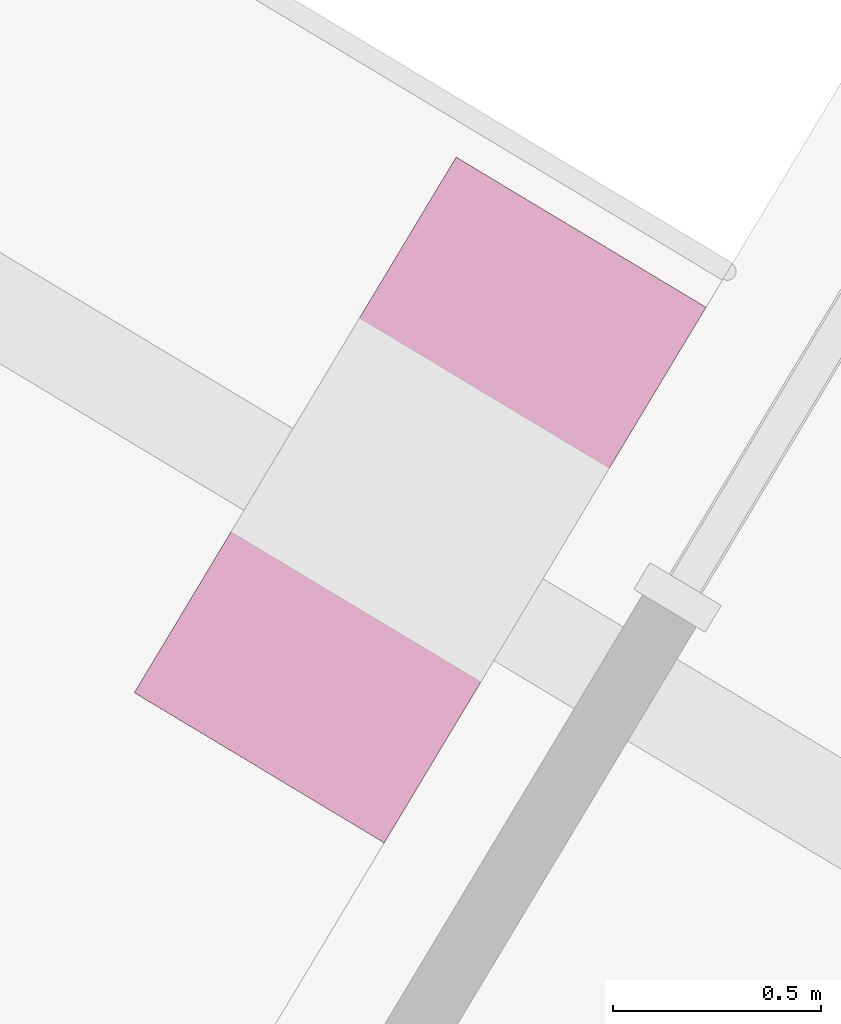
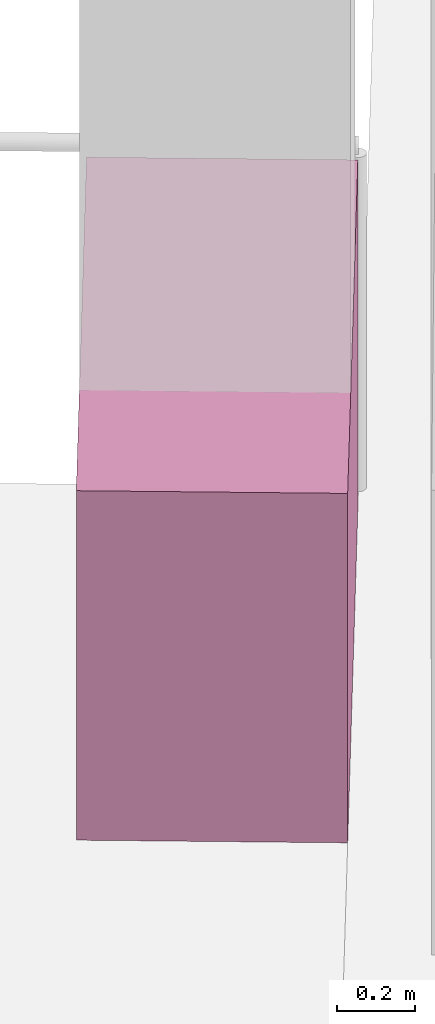
# One storey, part 18 of 19: 1 furniture element.
"""IFC4 building model written with IfcOpenShell, lengths in metres."""

from ifc_helpers import new_model, si_unit, direction, frame, origin, origin_2d, place, context, subcontext, project, spatial, rectangle, extrude, source, transform, mapped, material, type_object, element, save


model = new_model("IFC4")

# Units and contexts
model_context = context("Model", 3, precision=1e-05, world=origin(), true_north=direction((0.0, 1.0)))
body_context = subcontext(model_context, "Body", "Model", "MODEL_VIEW")
ifc_project = project(units=[si_unit("LENGTHUNIT", "METRE"), si_unit("AREAUNIT", "SQUARE_METRE"), si_unit("VOLUMEUNIT", "CUBIC_METRE"), si_unit("PLANEANGLEUNIT", "RADIAN"), si_unit("MASSUNIT", "GRAM", prefix="KILO")], contexts=[model_context])

# Site, building, storey
site_placement = place(None, origin())
site = spatial("IfcSite", under=ifc_project, at=site_placement, CompositionType="ELEMENT")
building_placement = place(site_placement, origin())
building = spatial("IfcBuilding", under=site, at=building_placement, Name="Triune Harvest Tower", CompositionType="ELEMENT")
storey_placement = place(building_placement, frame((0.0, 0.0, 205.10009765625)))
storey = spatial("IfcBuildingStorey", under=building, at=storey_placement, Name="L53", CompositionType="ELEMENT", Elevation=205.10009765625)

# Furniture
ifc_material = material(Name="Concrete 40 MPa", Category="concrete")
furniture_type = type_object("IfcFurnitureType", Name="PB-1 structural planter", AssemblyPlace="SITE", PredefinedType="USERDEFINED", material=ifc_material)
shared_shape = source(origin(), body_context, "Body", "SweptSolid", [
    extrude(rectangle(XDim=1.5, YDim=0.699951171875, at=origin_2d()), origin(), (0.0, 0.0, 1.0), 1.10009765625),
])
furniture_placement = place(storey_placement, frame((-14.876220703125, 16.650634765625, -0.000244140625), z_axis=(0.0, 0.0, 1.0), x_axis=(-0.515036632219, -0.857168167557, 0.0)))
element("IfcFurniture", 1, at=furniture_placement, inside=storey, type_object=furniture_type, Name="Planter B5-F3 L53.5a", ObjectType="PLANTER", PredefinedType="USERDEFINED", context=body_context, shape_type="MappedRepresentation", body=[
    mapped(shared_shape, transform((0.0, 0.0, 0.0), scale=1.0)),
])

save(model, "model.ifc")
